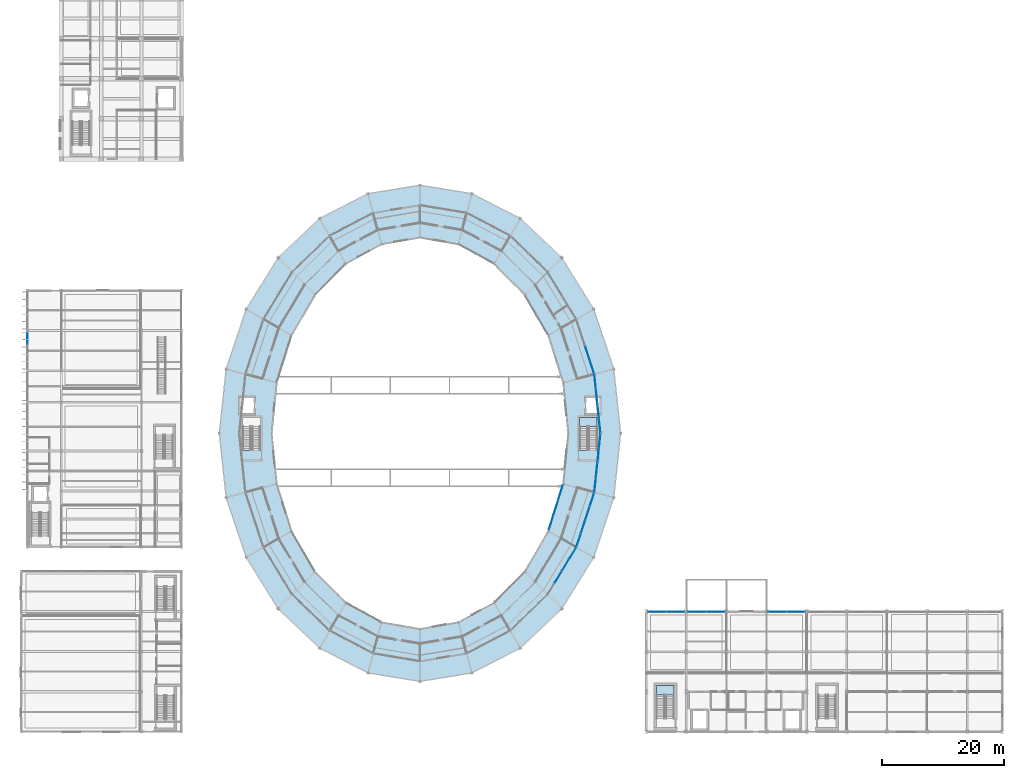
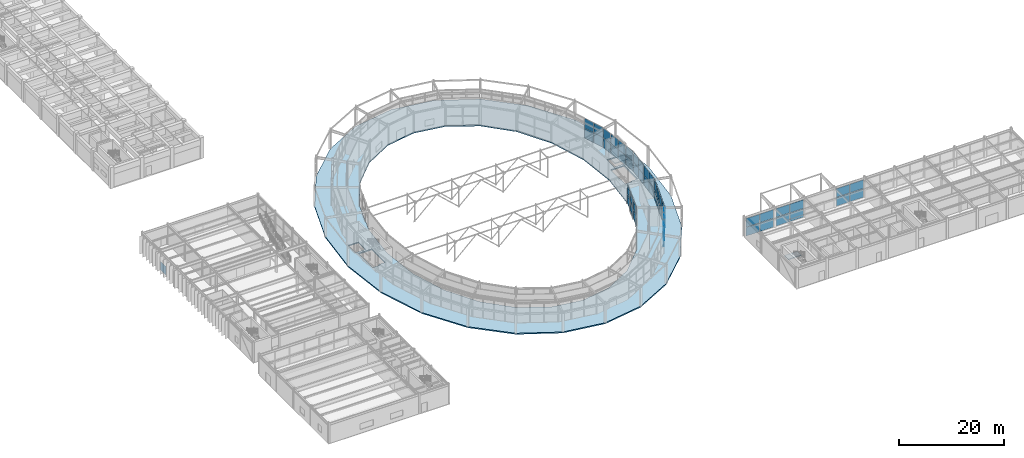
# One storey, part 102 of 144: 53 plates, 3 slabs, 12 elements without a shape of their own.
"""IFC4 building model written with IfcOpenShell, lengths in metres."""

from ifc_helpers import new_model, si_unit, direction, frame, origin, origin_2d, place, context, subcontext, project, spatial, polyline, rectangle, outline, extrude, material, layer, layer_set, type_object, element, aggregate, save


model = new_model("IFC4")

# Units and contexts
model_context = context("Model", 3, precision=1e-05, world=origin(), true_north=direction((0.0, 1.0)))
body_context = subcontext(model_context, "Body", "Model", "MODEL_VIEW")
ifc_project = project(units=[si_unit("LENGTHUNIT", "METRE"), si_unit("AREAUNIT", "SQUARE_METRE"), si_unit("VOLUMEUNIT", "CUBIC_METRE"), si_unit("PLANEANGLEUNIT", "RADIAN"), si_unit("MASSUNIT", "GRAM", prefix="KILO")], contexts=[model_context])

# Site, building, storey
site_placement = place(None, origin())
site = spatial("IfcSite", under=ifc_project, at=site_placement, CompositionType="ELEMENT")
building_placement = place(site_placement, origin())
building = spatial("IfcBuilding", under=site, at=building_placement, Name="Karori Crest Natural Sciences Institute", CompositionType="ELEMENT")
storey_placement = place(building_placement, origin())
storey = spatial("IfcBuildingStorey", under=building, at=storey_placement, Name="L00", CompositionType="ELEMENT", Elevation=0.0)

# Curtain wall, plates
ifc_material_1 = material(Name="Anodised architectural aluminium 6063-T6", Category="aluminium")
curtain_wall_type_1 = type_object("IfcCurtainWallType", Name="CWT-01", PredefinedType="NOTDEFINED", material=ifc_material_1)
curtain_wall_1_placement = place(storey_placement, origin())
curtain_wall_1 = element("IfcCurtainWall", 1, at=curtain_wall_1_placement, inside=storey, type_object=curtain_wall_type_1, Name="Curtain wall CW-0001", PredefinedType="NOTDEFINED")
ifc_material_2 = material(Name="Double low-E laminated glass", Category="glass")
ifc_layer_1 = layer(ifc_material_2, 0.02392578125, Name="Double low-E laminated glass")
ifc_layer_set_1 = layer_set([ifc_layer_1], Name="Double low-E laminated glass")
plate_type_1 = type_object("IfcPlateType", Name="CWP-01", PredefinedType="CURTAIN_PANEL", material=ifc_layer_set_1)
plate_1_placement = place(storey_placement, frame((95.218017578125, 58.35888671875, 0.06494140625), z_axis=(0.0, 0.0, 1.0), x_axis=(0.103701303727, -0.994608485589, 0.0)))
plate_1 = element("IfcPlate", 2, at=plate_1_placement, type_object=plate_type_1, Name="CW-0001 panel 1.1", PredefinedType="CURTAIN_PANEL", context=body_context, shape_type="SweptSolid", body=[
    extrude(rectangle(XDim=2.317138671875, YDim=0.02392578125, at=origin_2d()), origin(), (0.0, 0.0, 1.0), 2.242431640625),
])
plate_2_placement = place(storey_placement, frame((95.218017578125, 58.35888671875, 2.37255859375), z_axis=(0.0, 0.0, 1.0), x_axis=(0.103701303727, -0.994608485589, 0.0)))
plate_2 = element("IfcPlate", 3, at=plate_2_placement, type_object=plate_type_1, Name="CW-0001 panel 1.2", PredefinedType="CURTAIN_PANEL", context=body_context, shape_type="SweptSolid", body=[
    extrude(rectangle(XDim=2.317138671875, YDim=0.02392578125, at=origin_2d()), origin(), (0.0, 0.0, 1.0), 2.242431640625),
])
plate_3_placement = place(storey_placement, frame((95.468017578125, 55.961181640625, 0.06494140625), z_axis=(0.0, 0.0, 1.0), x_axis=(0.103701303727, -0.994608485589, 0.0)))
plate_3 = element("IfcPlate", 4, at=plate_3_placement, type_object=plate_type_1, Name="CW-0001 panel 2.1", PredefinedType="CURTAIN_PANEL", context=body_context, shape_type="SweptSolid", body=[
    extrude(rectangle(XDim=2.3544921875, YDim=0.02392578125, at=origin_2d()), origin(), (0.0, 0.0, 1.0), 2.242431640625),
])
plate_4_placement = place(storey_placement, frame((95.468017578125, 55.961181640625, 2.37255859375), z_axis=(0.0, 0.0, 1.0), x_axis=(0.103701303727, -0.994608485589, 0.0)))
plate_4 = element("IfcPlate", 5, at=plate_4_placement, type_object=plate_type_1, Name="CW-0001 panel 2.2", PredefinedType="CURTAIN_PANEL", context=body_context, shape_type="SweptSolid", body=[
    extrude(rectangle(XDim=2.3544921875, YDim=0.02392578125, at=origin_2d()), origin(), (0.0, 0.0, 1.0), 2.242431640625),
])
plate_5_placement = place(storey_placement, frame((95.719970703125, 53.544677734375, 0.06494140625), z_axis=(0.0, 0.0, 1.0), x_axis=(0.103701303727, -0.994608485589, 0.0)))
plate_5 = element("IfcPlate", 6, at=plate_5_placement, type_object=plate_type_1, Name="CW-0001 panel 3.1", PredefinedType="CURTAIN_PANEL", context=body_context, shape_type="SweptSolid", body=[
    extrude(rectangle(XDim=2.3544921875, YDim=0.02392578125, at=origin_2d()), origin(), (0.0, 0.0, 1.0), 2.242431640625),
])
plate_6_placement = place(storey_placement, frame((95.719970703125, 53.544677734375, 2.37255859375), z_axis=(0.0, 0.0, 1.0), x_axis=(0.103701303727, -0.994608485589, 0.0)))
plate_6 = element("IfcPlate", 7, at=plate_6_placement, type_object=plate_type_1, Name="CW-0001 panel 3.2", PredefinedType="CURTAIN_PANEL", context=body_context, shape_type="SweptSolid", body=[
    extrude(rectangle(XDim=2.3544921875, YDim=0.02392578125, at=origin_2d()), origin(), (0.0, 0.0, 1.0), 2.242431640625),
])
plate_7_placement = place(storey_placement, frame((95.969970703125, 51.146728515625, 0.06494140625), z_axis=(0.0, 0.0, 1.0), x_axis=(0.103701303727, -0.994608485589, 0.0)))
plate_7 = element("IfcPlate", 8, at=plate_7_placement, type_object=plate_type_1, Name="CW-0001 panel 4.1", PredefinedType="CURTAIN_PANEL", context=body_context, shape_type="SweptSolid", body=[
    extrude(rectangle(XDim=2.317138671875, YDim=0.02392578125, at=origin_2d()), origin(), (0.0, 0.0, 1.0), 2.242431640625),
])
plate_8_placement = place(storey_placement, frame((95.969970703125, 51.146728515625, 2.37255859375), z_axis=(0.0, 0.0, 1.0), x_axis=(0.103701303727, -0.994608485589, 0.0)))
plate_8 = element("IfcPlate", 9, at=plate_8_placement, type_object=plate_type_1, Name="CW-0001 panel 4.2", PredefinedType="CURTAIN_PANEL", context=body_context, shape_type="SweptSolid", body=[
    extrude(rectangle(XDim=2.317138671875, YDim=0.02392578125, at=origin_2d()), origin(), (0.0, 0.0, 1.0), 2.242431640625),
])
aggregate(curtain_wall_1, [plate_1, plate_2, plate_3, plate_4, plate_5, plate_6, plate_7, plate_8])

curtain_wall_type_2 = type_object("IfcCurtainWallType", Name="CWT-02", PredefinedType="NOTDEFINED", material=ifc_material_1)
curtain_wall_2_placement = place(storey_placement, origin())
curtain_wall_2 = element("IfcCurtainWall", 10, at=curtain_wall_2_placement, inside=storey, type_object=curtain_wall_type_2, Name="Curtain wall CW-0027", PredefinedType="NOTDEFINED")
plate_9_placement = place(storey_placement, frame((91.513427734375, 30.150390625, 0.06005859375), z_axis=(0.0, 0.0, 1.0), x_axis=(-0.519340606905, -0.854567337323, 0.0)))
plate_9 = element("IfcPlate", 11, at=plate_9_placement, type_object=plate_type_1, Name="CW-0027 panel 1.1", PredefinedType="CURTAIN_PANEL", context=body_context, shape_type="SweptSolid", body=[
    extrude(rectangle(XDim=2.149658203125, YDim=0.02392578125, at=origin_2d()), origin(), (0.0, 0.0, 1.0), 2.25),
])
plate_10_placement = place(storey_placement, frame((91.513427734375, 30.150390625, 2.3701171875), z_axis=(0.0, 0.0, 1.0), x_axis=(-0.519340606905, -0.854567337323, 0.0)))
plate_10 = element("IfcPlate", 12, at=plate_10_placement, type_object=plate_type_1, Name="CW-0027 panel 1.2", PredefinedType="CURTAIN_PANEL", context=body_context, shape_type="SweptSolid", body=[
    extrude(rectangle(XDim=2.149658203125, YDim=0.02392578125, at=origin_2d()), origin(), (0.0, 0.0, 1.0), 2.25),
])
plate_11_placement = place(storey_placement, frame((90.348388671875, 28.2333984375, 0.06005859375), z_axis=(0.0, 0.0, 1.0), x_axis=(-0.519340606905, -0.854567337323, 0.0)))
plate_11 = element("IfcPlate", 13, at=plate_11_placement, type_object=plate_type_1, Name="CW-0027 panel 2.1", PredefinedType="CURTAIN_PANEL", context=body_context, shape_type="SweptSolid", body=[
    extrude(rectangle(XDim=2.18701171875, YDim=0.02392578125, at=origin_2d()), origin(), (0.0, 0.0, 1.0), 2.25),
])
plate_12_placement = place(storey_placement, frame((90.348388671875, 28.2333984375, 2.3701171875), z_axis=(0.0, 0.0, 1.0), x_axis=(-0.519340606905, -0.854567337323, 0.0)))
plate_12 = element("IfcPlate", 14, at=plate_12_placement, type_object=plate_type_1, Name="CW-0027 panel 2.2", PredefinedType="CURTAIN_PANEL", context=body_context, shape_type="SweptSolid", body=[
    extrude(rectangle(XDim=2.18701171875, YDim=0.02392578125, at=origin_2d()), origin(), (0.0, 0.0, 1.0), 2.25),
])
plate_13_placement = place(storey_placement, frame((89.173583984375, 26.30029296875, 0.06005859375), z_axis=(0.0, 0.0, 1.0), x_axis=(-0.519340606905, -0.854567337323, 0.0)))
plate_13 = element("IfcPlate", 15, at=plate_13_placement, type_object=plate_type_1, Name="CW-0027 panel 3.1", PredefinedType="CURTAIN_PANEL", context=body_context, shape_type="SweptSolid", body=[
    extrude(rectangle(XDim=2.18701171875, YDim=0.02392578125, at=origin_2d()), origin(), (0.0, 0.0, 1.0), 2.25),
])
plate_14_placement = place(storey_placement, frame((89.173583984375, 26.30029296875, 2.3701171875), z_axis=(0.0, 0.0, 1.0), x_axis=(-0.519340606905, -0.854567337323, 0.0)))
plate_14 = element("IfcPlate", 16, at=plate_14_placement, type_object=plate_type_1, Name="CW-0027 panel 3.2", PredefinedType="CURTAIN_PANEL", context=body_context, shape_type="SweptSolid", body=[
    extrude(rectangle(XDim=2.18701171875, YDim=0.02392578125, at=origin_2d()), origin(), (0.0, 0.0, 1.0), 2.25),
])
aggregate(curtain_wall_2, [plate_9, plate_10, plate_11, plate_12, plate_13, plate_14])

curtain_wall_type_3 = type_object("IfcCurtainWallType", Name="CWT-13", PredefinedType="NOTDEFINED", material=ifc_material_1)
curtain_wall_3_placement = place(storey_placement, origin())
curtain_wall_3 = element("IfcCurtainWall", 17, at=curtain_wall_3_placement, inside=storey, type_object=curtain_wall_type_3, Name="Curtain wall CW-0029", PredefinedType="NOTDEFINED")
plate_15_placement = place(storey_placement, frame((87.97509765625, 35.215087890625, 0.06005859375), z_axis=(0.0, 0.0, 1.0), x_axis=(0.2994765864, 0.954103649609, 0.0)))
plate_15 = element("IfcPlate", 18, at=plate_15_placement, type_object=plate_type_1, Name="CW-0029 panel 1.1", PredefinedType="CURTAIN_PANEL", context=body_context, shape_type="SweptSolid", body=[
    extrude(rectangle(XDim=2.517822265625, YDim=0.02392578125, at=origin_2d()), origin(), (0.0, 0.0, 1.0), 2.0849609375),
])
plate_16_placement = place(storey_placement, frame((87.97509765625, 35.215087890625, 2.205078125), z_axis=(0.0, 0.0, 1.0), x_axis=(0.2994765864, 0.954103649609, 0.0)))
plate_16 = element("IfcPlate", 19, at=plate_16_placement, type_object=plate_type_1, Name="CW-0029 panel 1.2", PredefinedType="CURTAIN_PANEL", context=body_context, shape_type="SweptSolid", body=[
    extrude(rectangle(XDim=2.517822265625, YDim=0.02392578125, at=origin_2d()), origin(), (0.0, 0.0, 1.0), 2.0849609375),
])
plate_17_placement = place(storey_placement, frame((88.75341796875, 37.69482421875, 0.06005859375), z_axis=(0.0, 0.0, 1.0), x_axis=(0.2994765864, 0.954103649609, 0.0)))
plate_17 = element("IfcPlate", 20, at=plate_17_placement, type_object=plate_type_1, Name="CW-0029 panel 2.1", PredefinedType="CURTAIN_PANEL", context=body_context, shape_type="SweptSolid", body=[
    extrude(rectangle(XDim=2.55029296875, YDim=0.02392578125, at=origin_2d()), origin(), (0.0, 0.0, 1.0), 2.0849609375),
])
plate_18_placement = place(storey_placement, frame((88.75341796875, 37.69482421875, 2.205078125), z_axis=(0.0, 0.0, 1.0), x_axis=(0.2994765864, 0.954103649609, 0.0)))
plate_18 = element("IfcPlate", 21, at=plate_18_placement, type_object=plate_type_1, Name="CW-0029 panel 2.2", PredefinedType="CURTAIN_PANEL", context=body_context, shape_type="SweptSolid", body=[
    extrude(rectangle(XDim=2.55029296875, YDim=0.02392578125, at=origin_2d()), origin(), (0.0, 0.0, 1.0), 2.0849609375),
])
plate_19_placement = place(storey_placement, frame((89.53173828125, 40.174560546875, 0.06005859375), z_axis=(0.0, 0.0, 1.0), x_axis=(0.2994765864, 0.954103649609, 0.0)))
plate_19 = element("IfcPlate", 22, at=plate_19_placement, type_object=plate_type_1, Name="CW-0029 panel 3.1", PredefinedType="CURTAIN_PANEL", context=body_context, shape_type="SweptSolid", body=[
    extrude(rectangle(XDim=2.517822265625, YDim=0.02392578125, at=origin_2d()), origin(), (0.0, 0.0, 1.0), 2.0849609375),
])
plate_20_placement = place(storey_placement, frame((89.53173828125, 40.174560546875, 2.205078125), z_axis=(0.0, 0.0, 1.0), x_axis=(0.2994765864, 0.954103649609, 0.0)))
plate_20 = element("IfcPlate", 23, at=plate_20_placement, type_object=plate_type_1, Name="CW-0029 panel 3.2", PredefinedType="CURTAIN_PANEL", context=body_context, shape_type="SweptSolid", body=[
    extrude(rectangle(XDim=2.517822265625, YDim=0.02392578125, at=origin_2d()), origin(), (0.0, 0.0, 1.0), 2.0849609375),
])
aggregate(curtain_wall_3, [plate_15, plate_16, plate_17, plate_18, plate_19, plate_20])

# Curtain wall, plate
curtain_wall_type_4 = type_object("IfcCurtainWallType", Name="CWT-17", PredefinedType="NOTDEFINED", material=ifc_material_1)
curtain_wall_4_placement = place(storey_placement, origin())
curtain_wall_4 = element("IfcCurtainWall", 24, at=curtain_wall_4_placement, inside=storey, type_object=curtain_wall_type_4, Name="Curtain wall CW-0257", PredefinedType="NOTDEFINED")
plate_21_placement = place(storey_placement, frame((1.860107421875, 65.568359375, 0.06005859375), z_axis=(0.0, 0.0, 1.0), x_axis=(0.0, 1.0, 0.0)))
plate_21 = element("IfcPlate", 25, at=plate_21_placement, type_object=plate_type_1, Name="CW-0257 panel 3.1", PredefinedType="CURTAIN_PANEL", context=body_context, shape_type="SweptSolid", body=[
    extrude(rectangle(XDim=1.987060546875, YDim=0.02392578125, at=origin_2d()), origin(), (0.0, 0.0, 1.0), 1.982421875),
])
aggregate(curtain_wall_4, [plate_21])

# Curtain wall, plates
curtain_wall_type_5 = type_object("IfcCurtainWallType", Name="CWT-20", PredefinedType="NOTDEFINED", material=ifc_material_1)
curtain_wall_5_placement = place(storey_placement, origin())
curtain_wall_5 = element("IfcCurtainWall", 26, at=curtain_wall_5_placement, inside=storey, type_object=curtain_wall_type_5, Name="Curtain wall CW-0296", PredefinedType="NOTDEFINED")
plate_22_placement = place(storey_placement, frame((105.39013671875, 20.5400390625, 0.06005859375), z_axis=(0.0, 0.0, 1.0), x_axis=(1.0, 0.0, 0.0)))
plate_22 = element("IfcPlate", 27, at=plate_22_placement, type_object=plate_type_1, Name="CW-0296 panel 1.1", PredefinedType="CURTAIN_PANEL", context=body_context, shape_type="SweptSolid", body=[
    extrude(rectangle(XDim=2.95458984375, YDim=0.02392578125, at=origin_2d()), origin(), (0.0, 0.0, 1.0), 2.012451171875),
])
plate_23_placement = place(storey_placement, frame((105.39013671875, 20.5400390625, 2.13232421875), z_axis=(0.0, 0.0, 1.0), x_axis=(1.0, 0.0, 0.0)))
plate_23 = element("IfcPlate", 28, at=plate_23_placement, type_object=plate_type_1, Name="CW-0296 panel 1.2", PredefinedType="CURTAIN_PANEL", context=body_context, shape_type="SweptSolid", body=[
    extrude(rectangle(XDim=2.95458984375, YDim=0.02392578125, at=origin_2d()), origin(), (0.0, 0.0, 1.0), 2.012451171875),
])
plate_24_placement = place(storey_placement, frame((108.40966796875, 20.5400390625, 0.06005859375), z_axis=(0.0, 0.0, 1.0), x_axis=(1.0, 0.0, 0.0)))
plate_24 = element("IfcPlate", 29, at=plate_24_placement, type_object=plate_type_1, Name="CW-0296 panel 2.1", PredefinedType="CURTAIN_PANEL", context=body_context, shape_type="SweptSolid", body=[
    extrude(rectangle(XDim=2.95458984375, YDim=0.02392578125, at=origin_2d()), origin(), (0.0, 0.0, 1.0), 2.012451171875),
])
plate_25_placement = place(storey_placement, frame((108.40966796875, 20.5400390625, 2.13232421875), z_axis=(0.0, 0.0, 1.0), x_axis=(1.0, 0.0, 0.0)))
plate_25 = element("IfcPlate", 30, at=plate_25_placement, type_object=plate_type_1, Name="CW-0296 panel 2.2", PredefinedType="CURTAIN_PANEL", context=body_context, shape_type="SweptSolid", body=[
    extrude(rectangle(XDim=2.95458984375, YDim=0.02392578125, at=origin_2d()), origin(), (0.0, 0.0, 1.0), 2.012451171875),
])
aggregate(curtain_wall_5, [plate_22, plate_23, plate_24, plate_25])

curtain_wall_6_placement = place(storey_placement, origin())
curtain_wall_6 = element("IfcCurtainWall", 31, at=curtain_wall_6_placement, inside=storey, type_object=curtain_wall_type_5, Name="Curtain wall CW-0297", PredefinedType="NOTDEFINED")
plate_26_placement = place(storey_placement, frame((111.990234375, 20.5400390625, 0.06005859375), z_axis=(0.0, 0.0, 1.0), x_axis=(1.0, 0.0, 0.0)))
plate_26 = element("IfcPlate", 32, at=plate_26_placement, type_object=plate_type_1, Name="CW-0297 panel 1.1", PredefinedType="CURTAIN_PANEL", context=body_context, shape_type="SweptSolid", body=[
    extrude(rectangle(XDim=2.95458984375, YDim=0.02392578125, at=origin_2d()), origin(), (0.0, 0.0, 1.0), 2.012451171875),
])
plate_27_placement = place(storey_placement, frame((111.990234375, 20.5400390625, 2.13232421875), z_axis=(0.0, 0.0, 1.0), x_axis=(1.0, 0.0, 0.0)))
plate_27 = element("IfcPlate", 33, at=plate_27_placement, type_object=plate_type_1, Name="CW-0297 panel 1.2", PredefinedType="CURTAIN_PANEL", context=body_context, shape_type="SweptSolid", body=[
    extrude(rectangle(XDim=2.95458984375, YDim=0.02392578125, at=origin_2d()), origin(), (0.0, 0.0, 1.0), 2.012451171875),
])
plate_28_placement = place(storey_placement, frame((115.009765625, 20.5400390625, 0.06005859375), z_axis=(0.0, 0.0, 1.0), x_axis=(1.0, 0.0, 0.0)))
plate_28 = element("IfcPlate", 34, at=plate_28_placement, type_object=plate_type_1, Name="CW-0297 panel 2.1", PredefinedType="CURTAIN_PANEL", context=body_context, shape_type="SweptSolid", body=[
    extrude(rectangle(XDim=2.95458984375, YDim=0.02392578125, at=origin_2d()), origin(), (0.0, 0.0, 1.0), 2.012451171875),
])
plate_29_placement = place(storey_placement, frame((115.009765625, 20.5400390625, 2.13232421875), z_axis=(0.0, 0.0, 1.0), x_axis=(1.0, 0.0, 0.0)))
plate_29 = element("IfcPlate", 35, at=plate_29_placement, type_object=plate_type_1, Name="CW-0297 panel 2.2", PredefinedType="CURTAIN_PANEL", context=body_context, shape_type="SweptSolid", body=[
    extrude(rectangle(XDim=2.95458984375, YDim=0.02392578125, at=origin_2d()), origin(), (0.0, 0.0, 1.0), 2.012451171875),
])
aggregate(curtain_wall_6, [plate_26, plate_27, plate_28, plate_29])

curtain_wall_7_placement = place(storey_placement, origin())
curtain_wall_7 = element("IfcCurtainWall", 36, at=curtain_wall_7_placement, inside=storey, type_object=curtain_wall_type_5, Name="Curtain wall CW-0298", PredefinedType="NOTDEFINED")
plate_30_placement = place(storey_placement, frame((125.190185546875, 20.5400390625, 0.06005859375), z_axis=(0.0, 0.0, 1.0), x_axis=(1.0, 0.0, 0.0)))
plate_30 = element("IfcPlate", 37, at=plate_30_placement, type_object=plate_type_1, Name="CW-0298 panel 1.1", PredefinedType="CURTAIN_PANEL", context=body_context, shape_type="SweptSolid", body=[
    extrude(rectangle(XDim=2.95458984375, YDim=0.02392578125, at=origin_2d()), origin(), (0.0, 0.0, 1.0), 2.012451171875),
])
plate_31_placement = place(storey_placement, frame((125.190185546875, 20.5400390625, 2.13232421875), z_axis=(0.0, 0.0, 1.0), x_axis=(1.0, 0.0, 0.0)))
plate_31 = element("IfcPlate", 38, at=plate_31_placement, type_object=plate_type_1, Name="CW-0298 panel 1.2", PredefinedType="CURTAIN_PANEL", context=body_context, shape_type="SweptSolid", body=[
    extrude(rectangle(XDim=2.95458984375, YDim=0.02392578125, at=origin_2d()), origin(), (0.0, 0.0, 1.0), 2.012451171875),
])
plate_32_placement = place(storey_placement, frame((128.209716796875, 20.5400390625, 0.06005859375), z_axis=(0.0, 0.0, 1.0), x_axis=(1.0, 0.0, 0.0)))
plate_32 = element("IfcPlate", 39, at=plate_32_placement, type_object=plate_type_1, Name="CW-0298 panel 2.1", PredefinedType="CURTAIN_PANEL", context=body_context, shape_type="SweptSolid", body=[
    extrude(rectangle(XDim=2.95458984375, YDim=0.02392578125, at=origin_2d()), origin(), (0.0, 0.0, 1.0), 2.012451171875),
])
plate_33_placement = place(storey_placement, frame((128.209716796875, 20.5400390625, 2.13232421875), z_axis=(0.0, 0.0, 1.0), x_axis=(1.0, 0.0, 0.0)))
plate_33 = element("IfcPlate", 40, at=plate_33_placement, type_object=plate_type_1, Name="CW-0298 panel 2.2", PredefinedType="CURTAIN_PANEL", context=body_context, shape_type="SweptSolid", body=[
    extrude(rectangle(XDim=2.95458984375, YDim=0.02392578125, at=origin_2d()), origin(), (0.0, 0.0, 1.0), 2.012451171875),
])
aggregate(curtain_wall_7, [plate_30, plate_31, plate_32, plate_33])

curtain_wall_8_placement = place(storey_placement, origin())
curtain_wall_8 = element("IfcCurtainWall", 41, at=curtain_wall_8_placement, inside=storey, type_object=curtain_wall_type_2, Name="Curtain wall CW-0002", PredefinedType="NOTDEFINED")
ifc_layer_2 = layer(ifc_material_2, 0.033935546875, Name="Double low-E laminated glass")
ifc_layer_set_2 = layer_set([ifc_layer_2], Name="Double low-E laminated glass")
plate_type_2 = type_object("IfcPlateType", Name="CWP-02", PredefinedType="CURTAIN_PANEL", material=ifc_layer_set_2)
plate_34_placement = place(storey_placement, frame((93.973876953125, 63.001953125, 0.06005859375), z_axis=(0.0, 0.0, 1.0), x_axis=(0.311714013584, -0.950175969879, 0.0)))
plate_34 = element("IfcPlate", 42, at=plate_34_placement, type_object=plate_type_2, Name="CW-0002 panel 3.1", PredefinedType="CURTAIN_PANEL", context=body_context, shape_type="SweptSolid", body=[
    extrude(rectangle(XDim=2.294677734375, YDim=0.033935546875, at=origin_2d()), origin(), (0.0, 0.0, 1.0), 2.25),
])
plate_35_placement = place(storey_placement, frame((93.973876953125, 63.001953125, 2.3701171875), z_axis=(0.0, 0.0, 1.0), x_axis=(0.311714013584, -0.950175969879, 0.0)))
plate_35 = element("IfcPlate", 43, at=plate_35_placement, type_object=plate_type_2, Name="CW-0002 panel 3.2", PredefinedType="CURTAIN_PANEL", context=body_context, shape_type="SweptSolid", body=[
    extrude(rectangle(XDim=2.294677734375, YDim=0.033935546875, at=origin_2d()), origin(), (0.0, 0.0, 1.0), 2.25),
])
plate_36_placement = place(storey_placement, frame((94.70654296875, 60.768310546875, 0.06005859375), z_axis=(0.0, 0.0, 1.0), x_axis=(0.311714013584, -0.950175969879, 0.0)))
plate_36 = element("IfcPlate", 44, at=plate_36_placement, type_object=plate_type_2, Name="CW-0002 panel 4.1", PredefinedType="CURTAIN_PANEL", context=body_context, shape_type="SweptSolid", body=[
    extrude(rectangle(XDim=2.257080078125, YDim=0.033935546875, at=origin_2d()), origin(), (0.0, 0.0, 1.0), 2.25),
])
plate_37_placement = place(storey_placement, frame((94.70654296875, 60.768310546875, 2.3701171875), z_axis=(0.0, 0.0, 1.0), x_axis=(0.311714013584, -0.950175969879, 0.0)))
plate_37 = element("IfcPlate", 45, at=plate_37_placement, type_object=plate_type_2, Name="CW-0002 panel 4.2", PredefinedType="CURTAIN_PANEL", context=body_context, shape_type="SweptSolid", body=[
    extrude(rectangle(XDim=2.257080078125, YDim=0.033935546875, at=origin_2d()), origin(), (0.0, 0.0, 1.0), 2.25),
])
aggregate(curtain_wall_8, [plate_34, plate_35, plate_36, plate_37])

curtain_wall_type_6 = type_object("IfcCurtainWallType", Name="CWT-03", PredefinedType="NOTDEFINED", material=ifc_material_1)
curtain_wall_9_placement = place(storey_placement, origin())
curtain_wall_9 = element("IfcCurtainWall", 46, at=curtain_wall_9_placement, inside=storey, type_object=curtain_wall_type_6, Name="Curtain wall CW-0028", PredefinedType="NOTDEFINED")
plate_38_placement = place(storey_placement, frame((94.70654296875, 39.03173828125, 0.06494140625), z_axis=(0.0, 0.0, 1.0), x_axis=(-0.311714013584, -0.950175969879, 0.0)))
plate_38 = element("IfcPlate", 47, at=plate_38_placement, type_object=plate_type_2, Name="CW-0028 panel 1.1", PredefinedType="CURTAIN_PANEL", context=body_context, shape_type="SweptSolid", body=[
    extrude(rectangle(XDim=2.257080078125, YDim=0.033935546875, at=origin_2d()), origin(), (0.0, 0.0, 1.0), 2.242431640625),
])
plate_39_placement = place(storey_placement, frame((94.70654296875, 39.03173828125, 2.37255859375), z_axis=(0.0, 0.0, 1.0), x_axis=(-0.311714013584, -0.950175969879, 0.0)))
plate_39 = element("IfcPlate", 48, at=plate_39_placement, type_object=plate_type_2, Name="CW-0028 panel 1.2", PredefinedType="CURTAIN_PANEL", context=body_context, shape_type="SweptSolid", body=[
    extrude(rectangle(XDim=2.257080078125, YDim=0.033935546875, at=origin_2d()), origin(), (0.0, 0.0, 1.0), 2.242431640625),
])
plate_40_placement = place(storey_placement, frame((93.973876953125, 36.7978515625, 0.06494140625), z_axis=(0.0, 0.0, 1.0), x_axis=(-0.311714013584, -0.950175969879, 0.0)))
plate_40 = element("IfcPlate", 49, at=plate_40_placement, type_object=plate_type_2, Name="CW-0028 panel 2.1", PredefinedType="CURTAIN_PANEL", context=body_context, shape_type="SweptSolid", body=[
    extrude(rectangle(XDim=2.294677734375, YDim=0.033935546875, at=origin_2d()), origin(), (0.0, 0.0, 1.0), 2.242431640625),
])
plate_41_placement = place(storey_placement, frame((93.973876953125, 36.7978515625, 2.37255859375), z_axis=(0.0, 0.0, 1.0), x_axis=(-0.311714013584, -0.950175969879, 0.0)))
plate_41 = element("IfcPlate", 50, at=plate_41_placement, type_object=plate_type_2, Name="CW-0028 panel 2.2", PredefinedType="CURTAIN_PANEL", context=body_context, shape_type="SweptSolid", body=[
    extrude(rectangle(XDim=2.294677734375, YDim=0.033935546875, at=origin_2d()), origin(), (0.0, 0.0, 1.0), 2.242431640625),
])
plate_42_placement = place(storey_placement, frame((93.235107421875, 34.54638671875, 0.06494140625), z_axis=(0.0, 0.0, 1.0), x_axis=(-0.311714013584, -0.950175969879, 0.0)))
plate_42 = element("IfcPlate", 51, at=plate_42_placement, type_object=plate_type_2, Name="CW-0028 panel 3.1", PredefinedType="CURTAIN_PANEL", context=body_context, shape_type="SweptSolid", body=[
    extrude(rectangle(XDim=2.294677734375, YDim=0.033935546875, at=origin_2d()), origin(), (0.0, 0.0, 1.0), 2.242431640625),
])
plate_43_placement = place(storey_placement, frame((93.235107421875, 34.54638671875, 2.37255859375), z_axis=(0.0, 0.0, 1.0), x_axis=(-0.311714013584, -0.950175969879, 0.0)))
plate_43 = element("IfcPlate", 52, at=plate_43_placement, type_object=plate_type_2, Name="CW-0028 panel 3.2", PredefinedType="CURTAIN_PANEL", context=body_context, shape_type="SweptSolid", body=[
    extrude(rectangle(XDim=2.294677734375, YDim=0.033935546875, at=origin_2d()), origin(), (0.0, 0.0, 1.0), 2.242431640625),
])
plate_44_placement = place(storey_placement, frame((92.50244140625, 32.3125, 0.06494140625), z_axis=(0.0, 0.0, 1.0), x_axis=(-0.311714013584, -0.950175969879, 0.0)))
plate_44 = element("IfcPlate", 53, at=plate_44_placement, type_object=plate_type_2, Name="CW-0028 panel 4.1", PredefinedType="CURTAIN_PANEL", context=body_context, shape_type="SweptSolid", body=[
    extrude(rectangle(XDim=2.257080078125, YDim=0.033935546875, at=origin_2d()), origin(), (0.0, 0.0, 1.0), 2.242431640625),
])
plate_45_placement = place(storey_placement, frame((92.50244140625, 32.3125, 2.37255859375), z_axis=(0.0, 0.0, 1.0), x_axis=(-0.311714013584, -0.950175969879, 0.0)))
plate_45 = element("IfcPlate", 54, at=plate_45_placement, type_object=plate_type_2, Name="CW-0028 panel 4.2", PredefinedType="CURTAIN_PANEL", context=body_context, shape_type="SweptSolid", body=[
    extrude(rectangle(XDim=2.257080078125, YDim=0.033935546875, at=origin_2d()), origin(), (0.0, 0.0, 1.0), 2.242431640625),
])
aggregate(curtain_wall_9, [plate_38, plate_39, plate_40, plate_41, plate_42, plate_43, plate_44, plate_45])

curtain_wall_type_7 = type_object("IfcCurtainWallType", Name="CWT-04", PredefinedType="NOTDEFINED", material=ifc_material_1)
curtain_wall_10_placement = place(storey_placement, origin())
curtain_wall_10 = element("IfcCurtainWall", 55, at=curtain_wall_10_placement, inside=storey, type_object=curtain_wall_type_7, Name="Curtain wall CW-0030", PredefinedType="NOTDEFINED")
ifc_layer_3 = layer(ifc_material_2, 0.0439453125, Name="Double low-E laminated glass")
ifc_layer_set_3 = layer_set([ifc_layer_3], Name="Double low-E laminated glass")
plate_type_3 = type_object("IfcPlateType", Name="CWP-03", PredefinedType="CURTAIN_PANEL", material=ifc_layer_set_3)
plate_46_placement = place(storey_placement, frame((95.969970703125, 48.6533203125, 0.06005859375), z_axis=(0.0, 0.0, 1.0), x_axis=(-0.103701303727, -0.994608485589, 0.0)))
plate_46 = element("IfcPlate", 56, at=plate_46_placement, type_object=plate_type_3, Name="CW-0030 panel 1.1", PredefinedType="CURTAIN_PANEL", context=body_context, shape_type="SweptSolid", body=[
    extrude(rectangle(XDim=2.317138671875, YDim=0.0439453125, at=origin_2d()), origin(), (0.0, 0.0, 1.0), 2.25),
])
plate_47_placement = place(storey_placement, frame((95.969970703125, 48.6533203125, 2.3701171875), z_axis=(0.0, 0.0, 1.0), x_axis=(-0.103701303727, -0.994608485589, 0.0)))
plate_47 = element("IfcPlate", 57, at=plate_47_placement, type_object=plate_type_3, Name="CW-0030 panel 1.2", PredefinedType="CURTAIN_PANEL", context=body_context, shape_type="SweptSolid", body=[
    extrude(rectangle(XDim=2.317138671875, YDim=0.0439453125, at=origin_2d()), origin(), (0.0, 0.0, 1.0), 2.25),
])
plate_48_placement = place(storey_placement, frame((95.719970703125, 46.25537109375, 0.06005859375), z_axis=(0.0, 0.0, 1.0), x_axis=(-0.103701303727, -0.994608485589, 0.0)))
plate_48 = element("IfcPlate", 58, at=plate_48_placement, type_object=plate_type_3, Name="CW-0030 panel 2.1", PredefinedType="CURTAIN_PANEL", context=body_context, shape_type="SweptSolid", body=[
    extrude(rectangle(XDim=2.3544921875, YDim=0.0439453125, at=origin_2d()), origin(), (0.0, 0.0, 1.0), 2.25),
])
plate_49_placement = place(storey_placement, frame((95.719970703125, 46.25537109375, 2.3701171875), z_axis=(0.0, 0.0, 1.0), x_axis=(-0.103701303727, -0.994608485589, 0.0)))
plate_49 = element("IfcPlate", 59, at=plate_49_placement, type_object=plate_type_3, Name="CW-0030 panel 2.2", PredefinedType="CURTAIN_PANEL", context=body_context, shape_type="SweptSolid", body=[
    extrude(rectangle(XDim=2.3544921875, YDim=0.0439453125, at=origin_2d()), origin(), (0.0, 0.0, 1.0), 2.25),
])
plate_50_placement = place(storey_placement, frame((95.468017578125, 43.8388671875, 0.06005859375), z_axis=(0.0, 0.0, 1.0), x_axis=(-0.103701303727, -0.994608485589, 0.0)))
plate_50 = element("IfcPlate", 60, at=plate_50_placement, type_object=plate_type_3, Name="CW-0030 panel 3.1", PredefinedType="CURTAIN_PANEL", context=body_context, shape_type="SweptSolid", body=[
    extrude(rectangle(XDim=2.3544921875, YDim=0.0439453125, at=origin_2d()), origin(), (0.0, 0.0, 1.0), 2.25),
])
plate_51_placement = place(storey_placement, frame((95.468017578125, 43.8388671875, 2.3701171875), z_axis=(0.0, 0.0, 1.0), x_axis=(-0.103701303727, -0.994608485589, 0.0)))
plate_51 = element("IfcPlate", 61, at=plate_51_placement, type_object=plate_type_3, Name="CW-0030 panel 3.2", PredefinedType="CURTAIN_PANEL", context=body_context, shape_type="SweptSolid", body=[
    extrude(rectangle(XDim=2.3544921875, YDim=0.0439453125, at=origin_2d()), origin(), (0.0, 0.0, 1.0), 2.25),
])
plate_52_placement = place(storey_placement, frame((95.218017578125, 41.441162109375, 0.06005859375), z_axis=(0.0, 0.0, 1.0), x_axis=(-0.103701303727, -0.994608485589, 0.0)))
plate_52 = element("IfcPlate", 62, at=plate_52_placement, type_object=plate_type_3, Name="CW-0030 panel 4.1", PredefinedType="CURTAIN_PANEL", context=body_context, shape_type="SweptSolid", body=[
    extrude(rectangle(XDim=2.317138671875, YDim=0.0439453125, at=origin_2d()), origin(), (0.0, 0.0, 1.0), 2.25),
])
plate_53_placement = place(storey_placement, frame((95.218017578125, 41.441162109375, 2.3701171875), z_axis=(0.0, 0.0, 1.0), x_axis=(-0.103701303727, -0.994608485589, 0.0)))
plate_53 = element("IfcPlate", 63, at=plate_53_placement, type_object=plate_type_3, Name="CW-0030 panel 4.2", PredefinedType="CURTAIN_PANEL", context=body_context, shape_type="SweptSolid", body=[
    extrude(rectangle(XDim=2.317138671875, YDim=0.0439453125, at=origin_2d()), origin(), (0.0, 0.0, 1.0), 2.25),
])
aggregate(curtain_wall_10, [plate_46, plate_47, plate_48, plate_49, plate_50, plate_51, plate_52, plate_53])

# Slab
ifc_material_3 = material(Name="Concrete 40 MPa", Category="concrete")
ifc_layer_4 = layer(ifc_material_3, 0.260009765625, Name="Concrete 40 MPa")
ifc_layer_set_4 = layer_set([ifc_layer_4], Name="Concrete 40 MPa")
slab_type_1 = type_object("IfcSlabType", Name="SLT-05", PredefinedType="FLOOR", material=ifc_layer_set_4)
slab_1_placement = place(storey_placement, frame((0.0, 0.0, -0.260009765625)))
element("IfcSlab", 64, at=slab_1_placement, inside=storey, type_object=slab_type_1, Name="V1 Slab SL-0002", PredefinedType="FLOOR", context=body_context, shape_type="SweptSolid", body=[
    extrude(outline(polyline([(99.39990234375, 49.89990234375), (98.275634765625, 60.459716796875), (94.978759765625, 70.300048828125), (89.734619140625, 78.75), (82.89990234375, 85.23388671875), (74.94091796875, 89.309814453125), (66.39990234375, 90.699951171875), (57.85888671875, 89.309814453125), (49.89990234375, 85.23388671875), (43.0654296875, 78.75), (37.8212890625, 70.300048828125), (34.5244140625, 60.459716796875), (33.39990234375, 49.89990234375), (34.5244140625, 39.340087890625), (37.8212890625, 29.5), (43.0654296875, 21.050048828125), (49.89990234375, 14.566162109375), (57.85888671875, 10.490234375), (66.39990234375, 9.10009765625), (74.94091796875, 10.490234375), (82.89990234375, 14.566162109375), (89.734619140625, 21.050048828125), (94.978759765625, 29.5), (98.275634765625, 39.340087890625), (99.39990234375, 49.89990234375)]), holes=[polyline([(89.968505859375, 41.56591796875), (87.531005859375, 33.800048828125), (83.6533203125, 27.131103515625), (78.60009765625, 22.013916015625), (72.715087890625, 18.797119140625), (66.39990234375, 17.699951171875), (60.084716796875, 18.797119140625), (54.199951171875, 22.013916015625), (49.146484375, 27.131103515625), (45.26904296875, 33.800048828125), (42.831298828125, 41.56591796875), (42.0, 49.89990234375), (42.831298828125, 58.23388671875), (45.26904296875, 66.0), (49.146484375, 72.668701171875), (54.199951171875, 77.785888671875), (60.084716796875, 81.002685546875), (66.39990234375, 82.10009765625), (72.715087890625, 81.002685546875), (78.60009765625, 77.785888671875), (83.6533203125, 72.668701171875), (87.531005859375, 66.0), (89.968505859375, 58.23388671875), (90.800048828125, 49.89990234375), (89.968505859375, 41.56591796875)]), polyline([(95.550048828125, 47.3798828125), (94.10009765625, 47.3798828125), (94.10009765625, 47.1005859375), (92.64990234375, 47.1005859375), (92.64990234375, 52.5), (95.550048828125, 52.5), (95.550048828125, 47.3798828125)]), polyline([(40.14990234375, 47.3798828125), (38.699951171875, 47.3798828125), (38.699951171875, 47.1005859375), (37.25, 47.1005859375), (37.25, 52.5), (40.14990234375, 52.5), (40.14990234375, 47.3798828125)]), polyline([(93.72509765625, 55.77490234375), (95.97509765625, 55.77490234375), (95.97509765625, 53.02490234375), (93.72509765625, 53.02490234375), (93.72509765625, 55.77490234375)]), polyline([(36.824951171875, 55.77490234375), (39.074951171875, 55.77490234375), (39.074951171875, 53.02490234375), (36.824951171875, 53.02490234375), (36.824951171875, 55.77490234375)])]), origin(), (0.0, 0.0, 1.0), 0.260009765625),
])

# Stair, slab
stair_type = type_object("IfcStairType", Name="STT-02", PredefinedType="HALF_TURN_STAIR", material=ifc_material_3)
stair_1_placement = place(storey_placement, origin())
stair_1 = element("IfcStair", 65, at=stair_1_placement, inside=storey, type_object=stair_type, Name="Protected stair ST-01-L00", PredefinedType="HALF_TURN_STAIR")
ifc_layer_5 = layer(ifc_material_3, 0.2099609375, Name="Concrete 40 MPa")
ifc_layer_set_5 = layer_set([ifc_layer_5], Name="Concrete 40 MPa")
slab_type_2 = type_object("IfcSlabType", Name="SLT-11", PredefinedType="LANDING", material=ifc_layer_set_5)
slab_2_placement = place(storey_placement, frame((0.0, 0.0, 2.239990234375)))
slab_2 = element("IfcSlab", 66, at=slab_2_placement, type_object=slab_type_2, Name="ST-01-L00 landing 1", PredefinedType="LANDING", context=body_context, shape_type="SweptSolid", body=[
    extrude(outline(polyline([(95.550048828125, 51.0), (95.550048828125, 52.5), (92.64990234375, 52.5), (92.64990234375, 51.0), (95.550048828125, 51.0)])), origin(), (0.0, 0.0, 1.0), 0.2099609375),
])
aggregate(stair_1, [slab_2])

stair_2_placement = place(storey_placement, origin())
stair_2 = element("IfcStair", 67, at=stair_2_placement, inside=storey, type_object=stair_type, Name="Protected stair ST-03-L00", PredefinedType="HALF_TURN_STAIR")
slab_3_placement = place(storey_placement, frame((0.0, 0.0, 2.239990234375)))
slab_3 = element("IfcSlab", 68, at=slab_3_placement, type_object=slab_type_2, Name="ST-03-L00 landing 1", PredefinedType="LANDING", context=body_context, shape_type="SweptSolid", body=[
    extrude(outline(polyline([(108.199951171875, 6.89990234375), (108.199951171875, 8.39990234375), (105.300048828125, 8.39990234375), (105.300048828125, 6.89990234375), (108.199951171875, 6.89990234375)])), origin(), (0.0, 0.0, 1.0), 0.2099609375),
])
aggregate(stair_2, [slab_3])

save(model, "model.ifc")
